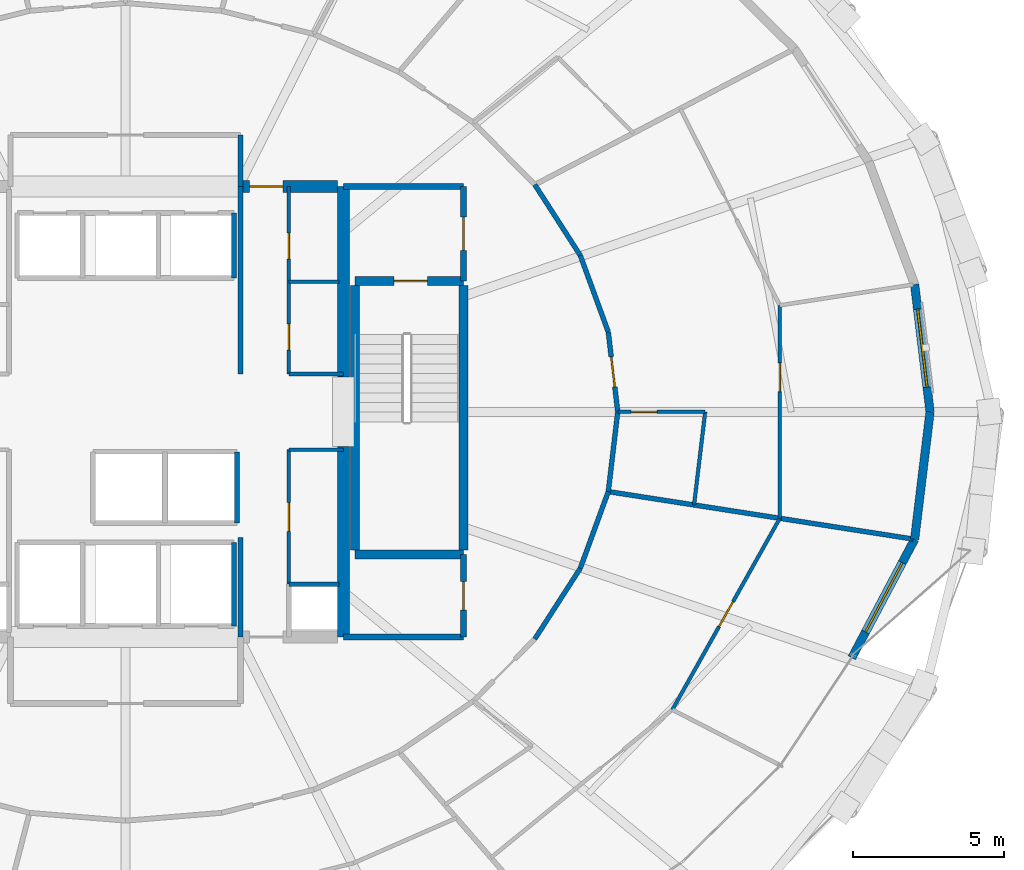
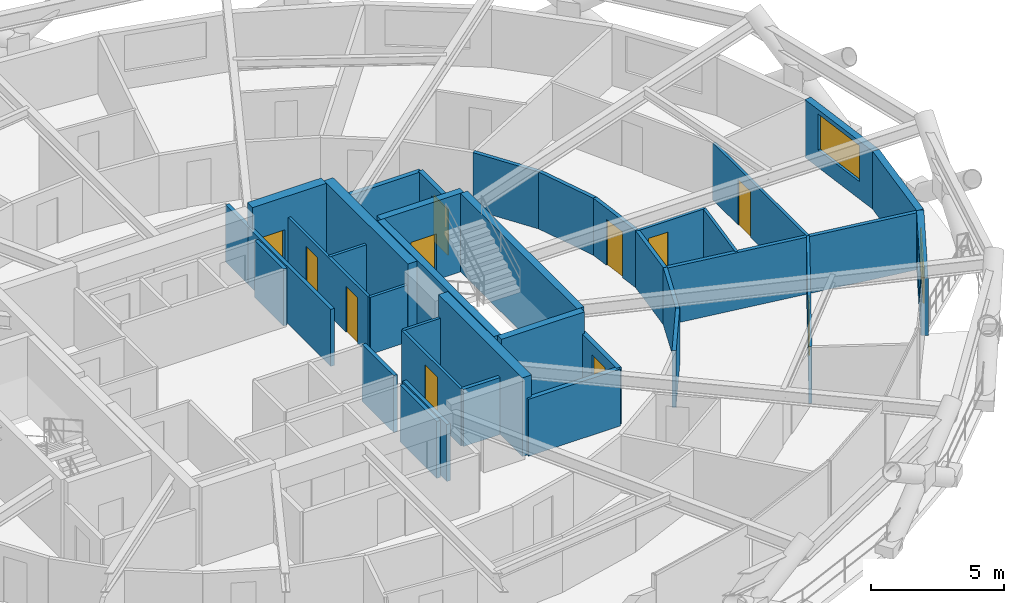
# One storey, part 13 of 17: 37 walls, 11 doors, 2 windows, 13 openings.
"""IFC4 building model written with IfcOpenShell, lengths in metres."""

from ifc_helpers import new_model, si_unit, direction, frame, frame_2d, origin, place, context, subcontext, project, spatial, rectangle, extrude, material, layer, layer_set, type_object, element, fill, save


model = new_model("IFC4")

# Units and contexts
model_context = context("Model", 3, precision=1e-05, world=origin(), true_north=direction((0.0, 1.0)))
body_context = subcontext(model_context, "Body", "Model", "MODEL_VIEW")
ifc_project = project(units=[si_unit("LENGTHUNIT", "METRE"), si_unit("AREAUNIT", "SQUARE_METRE"), si_unit("VOLUMEUNIT", "CUBIC_METRE"), si_unit("PLANEANGLEUNIT", "RADIAN"), si_unit("MASSUNIT", "GRAM", prefix="KILO")], contexts=[model_context])

# Site, building, storey
site_placement = place(None, origin())
site = spatial("IfcSite", under=ifc_project, at=site_placement, CompositionType="ELEMENT")
building_placement = place(site_placement, origin())
building = spatial("IfcBuilding", under=site, at=building_placement, Name="Veldorina Hangang Commons", CompositionType="ELEMENT")
storey_placement = place(building_placement, frame((0.0, 0.0, 55.60009765625)))
storey = spatial("IfcBuildingStorey", under=building, at=storey_placement, Name="L13", CompositionType="ELEMENT", Elevation=55.60009765625)

# Walls
ifc_material_1 = material(Name="Concrete C70/85", Category="concrete")
ifc_layer_1 = layer(ifc_material_1, 0.39990234375)
ifc_layer_set_1 = layer_set([ifc_layer_1], Name="Concrete C70/85")
wall_type_1 = type_object("IfcWallType", Name="CW-RC400-C70", PredefinedType="SHEAR", material=ifc_layer_set_1)
for number, where, z_axis, x_axis, name in (
    (1, (39.199951171875, 16.550048828125, 0.0), (0.0, 0.0, 1.0), (0.0, 1.0, 0.0), "L13 E south core shear wall"),
    (2, (39.199951171875, 25.14990234375, 0.0), (0.0, 0.0, 1.0), (0.0, 1.0, 0.0), "L13 E north core shear wall"),
):
    element("IfcWall", number, at=place(storey_placement, frame(where, z_axis=z_axis, x_axis=x_axis)), inside=storey, type_object=wall_type_1, Name=name, PredefinedType="SHEAR", context=body_context, shape_type="SweptSolid", body=[
        extrude(rectangle(XDim=6.300048828125, YDim=0.39990234375, at=frame_2d((3.14990234375, 0.0))), origin(), (0.0, 0.0, 1.0), 3.599853515625),
    ])

# Wall, opening, door
wall_1_placement = place(storey_placement, frame((35.800048828125, 31.449951171875, 0.0), z_axis=(0.0, 0.0, 1.0), x_axis=(1.0, 0.0, 0.0)))
wall_1 = element("IfcWall", 3, at=wall_1_placement, inside=storey, type_object=wall_type_1, Name="L13 north-east core shear wall", PredefinedType="SHEAR", context=body_context, shape_type="SweptSolid", body=[
    extrude(rectangle(XDim=3.199951171875, YDim=0.39990234375, at=frame_2d((1.60009765625, 0.0))), origin(), (0.0, 0.0, 1.0), 3.599853515625),
])
opening_1_placement = place(wall_1_placement, frame((0.300048828125, 0.0, 0.0)))
opening_1 = element("IfcOpeningElement", 4, at=opening_1_placement, cuts=wall_1, Name="Opening D-08", PredefinedType="OPENING", context=body_context, shape_type="SweptSolid", body=[
    extrude(rectangle(XDim=1.10009765625, YDim=2.10009765625, at=frame_2d((0.550048828125, 1.050048828125))), frame((0.0, 0.2099609375, 0.0), z_axis=(0.0, -1.0, 0.0), x_axis=(1.0, 0.0, 0.0)), (0.0, 0.0, 1.0), 0.419921875),
])
ifc_material_2 = material(Name="Steel Fire-Rated Smoke Seal", Category="steel")
door_type_1 = type_object("IfcDoorType", Name="DR-FIRE-1100", OperationType="SINGLE_SWING_RIGHT", PredefinedType="DOOR", material=ifc_material_2)
door_1_placement = place(opening_1_placement, origin())
door_1 = element("IfcDoor", 5, at=door_1_placement, inside=storey, type_object=door_type_1, Name="L13 central lift lobby north corridor door", OperationType="SINGLE_SWING_LEFT", OverallHeight=2.10009765625, OverallWidth=1.10009765625, PredefinedType="DOOR", context=body_context, shape_type="SweptSolid", body=[
    extrude(rectangle(XDim=1.10009765625, YDim=2.10009765625, at=frame_2d((0.550048828125, 1.050048828125))), frame((0.0, 0.02490234375, 0.0), z_axis=(0.0, -1.0, 0.0), x_axis=(1.0, 0.0, 0.0)), (0.0, 0.0, 1.0), 0.050048828125),
])
fill(opening_1, door_1)

# Wall, opening, window
ifc_material_3 = material(Name="Stone Roman Travertine", Category="masonry")
ifc_layer_2 = layer(ifc_material_3, 0.280029296875)
ifc_layer_set_2 = layer_set([ifc_layer_2], Name="Stone Roman Travertine")
wall_type_2 = type_object("IfcWallType", Name="EW-TRAV-280", PredefinedType="STANDARD", material=ifc_layer_set_2)
wall_2_placement = place(storey_placement, frame((58.6005859375, 24.0, 0.0), z_axis=(0.0, 0.0, 1.0), x_axis=(-0.120374306833, 0.992728576326, 0.0)))
wall_2 = element("IfcWall", 6, at=wall_2_placement, inside=storey, type_object=wall_type_2, Name="L13 travertine facade wall 00", PredefinedType="STANDARD", context=body_context, shape_type="SweptSolid", body=[
    extrude(rectangle(XDim=4.244873046875, YDim=0.280029296875, at=frame_2d((2.12255859375, 0.0))), origin(), (0.0, 0.0, 1.0), 2.64990234375),
])
opening_2_placement = place(wall_2_placement, frame((0.822509765625, 0.0, 0.800048828125)))
opening_2 = element("IfcOpeningElement", 7, at=opening_2_placement, cuts=wall_2, Name="Opening W-02", PredefinedType="OPENING", context=body_context, shape_type="SweptSolid", body=[
    extrude(rectangle(XDim=2.60009765625, YDim=1.64990234375, at=frame_2d((1.300048828125, 0.824951171875))), frame((0.0, 0.14990234375, 0.0), z_axis=(0.0, -1.0, 0.0), x_axis=(1.0, 0.0, 0.0)), (0.0, 0.0, 1.0), 0.300048828125),
])
ifc_material_4 = material(Name="Glass Low-E Triple IGU", Category="glass")
window_type = type_object("IfcWindowType", Name="WIN-TWR-2600", PartitioningType="SINGLE_PANEL", PredefinedType="WINDOW", material=ifc_material_4)
window_1_placement = place(opening_2_placement, origin())
window_1 = element("IfcWindow", 8, at=window_1_placement, inside=storey, type_object=window_type, Name="L13 facade window 00", OverallHeight=1.64990234375, OverallWidth=2.60009765625, PartitioningType="SINGLE_PANEL", PredefinedType="WINDOW", context=body_context, shape_type="SweptSolid", body=[
    extrude(rectangle(XDim=2.60009765625, YDim=1.64990234375, at=frame_2d((1.300048828125, 0.824951171875))), frame((0.0, 0.030029296875, 0.0), z_axis=(0.0, -1.0, 0.0), x_axis=(1.0, 0.0, 0.0)), (0.0, 0.0, 1.0), 0.06005859375),
])
fill(opening_2, window_1)

wall_3_placement = place(storey_placement, frame((56.015380859375, 15.86669921875, 0.0), z_axis=(0.0, 0.0, 1.0), x_axis=(0.467773880132, 0.883848175348, 0.0)))
wall_3 = element("IfcWall", 9, at=wall_3_placement, inside=storey, type_object=wall_type_2, Name="L13 travertine facade wall 30", PredefinedType="STANDARD", context=body_context, shape_type="SweptSolid", body=[
    extrude(rectangle(XDim=4.434326171875, YDim=0.280029296875, at=frame_2d((2.21728515625, 0.0))), origin(), (0.0, 0.0, 1.0), 2.64990234375),
])
opening_3_placement = place(wall_3_placement, frame((0.963134765625, 0.0, 0.800048828125)))
opening_3 = element("IfcOpeningElement", 10, at=opening_3_placement, cuts=wall_3, Name="Opening W-02", PredefinedType="OPENING", context=body_context, shape_type="SweptSolid", body=[
    extrude(rectangle(XDim=2.60009765625, YDim=1.64990234375, at=frame_2d((1.300048828125, 0.824951171875))), frame((0.0, 0.14990234375, 0.0), z_axis=(0.0, -1.0, 0.0), x_axis=(1.0, 0.0, 0.0)), (0.0, 0.0, 1.0), 0.300048828125),
])
window_2_placement = place(opening_3_placement, origin())
window_2 = element("IfcWindow", 11, at=window_2_placement, inside=storey, type_object=window_type, Name="L13 facade window 30", OverallHeight=1.64990234375, OverallWidth=2.60009765625, PartitioningType="SINGLE_PANEL", PredefinedType="WINDOW", context=body_context, shape_type="SweptSolid", body=[
    extrude(rectangle(XDim=2.60009765625, YDim=1.64990234375, at=frame_2d((1.300048828125, 0.824951171875))), frame((0.0, 0.030029296875, 0.0), z_axis=(0.0, -1.0, 0.0), x_axis=(1.0, 0.0, 0.0)), (0.0, 0.0, 1.0), 0.06005859375),
])
fill(opening_3, window_2)

# Walls
wall_4_placement = place(storey_placement, frame((58.089599609375, 19.785888671875, 0.0), z_axis=(0.0, 0.0, 1.0), x_axis=(0.120374306833, 0.992728576326, 0.0)))
element("IfcWall", 12, at=wall_4_placement, inside=storey, type_object=wall_type_2, Name="L13 travertine facade wall 31", PredefinedType="STANDARD", context=body_context, shape_type="SweptSolid", body=[
    extrude(rectangle(XDim=4.244873046875, YDim=0.280029296875, at=frame_2d((2.12255859375, 0.0))), origin(), (0.0, 0.0, 1.0), 2.64990234375),
])
ifc_material_5 = material(Name="Concrete C50/60", Category="concrete")
ifc_layer_3 = layer(ifc_material_5, 0.300048828125)
ifc_layer_set_3 = layer_set([ifc_layer_3], Name="Concrete C50/60")
wall_type_3 = type_object("IfcWallType", Name="SW-STAIR-300", PredefinedType="SHEAR", material=ifc_layer_set_3)
for number, where, z_axis, x_axis, name in (
    (13, (43.179931640625, 19.429931640625, 0.0), (0.0, 0.0, 1.0), (0.0, 1.0, 0.0), "L13 ST2 outer stair shear wall"),
    (14, (39.580078125, 19.429931640625, 0.0), (0.0, 0.0, 1.0), (0.0, 1.0, 0.0), "L13 ST2 inner stair shear wall"),
):
    element("IfcWall", number, at=place(storey_placement, frame(where, z_axis=z_axis, x_axis=x_axis)), inside=storey, type_object=wall_type_3, Name=name, PredefinedType="SHEAR", context=body_context, shape_type="SweptSolid", body=[
        extrude(rectangle(XDim=8.739990234375, YDim=0.300048828125, at=frame_2d((4.3701171875, 0.0))), origin(), (0.0, 0.0, 1.0), 3.599853515625),
    ])
wall_5_placement = place(storey_placement, frame((39.580078125, 19.280029296875, 0.0), z_axis=(0.0, 0.0, 1.0), x_axis=(1.0, 0.0, 0.0)))
element("IfcWall", 15, at=wall_5_placement, inside=storey, type_object=wall_type_3, Name="L13 ST2 south stair shear wall", PredefinedType="SHEAR", context=body_context, shape_type="SweptSolid", body=[
    extrude(rectangle(XDim=3.599853515625, YDim=0.300048828125, at=frame_2d((1.7998046875, 0.0))), origin(), (0.0, 0.0, 1.0), 3.599853515625),
])

# Wall, opening, door
wall_6_placement = place(storey_placement, frame((39.580078125, 28.320068359375, 0.0), z_axis=(0.0, 0.0, 1.0), x_axis=(1.0, 0.0, 0.0)))
wall_6 = element("IfcWall", 16, at=wall_6_placement, inside=storey, type_object=wall_type_3, Name="L13 ST2 north stair shear wall", PredefinedType="SHEAR", context=body_context, shape_type="SweptSolid", body=[
    extrude(rectangle(XDim=3.599853515625, YDim=0.300048828125, at=frame_2d((1.7998046875, 0.0))), origin(), (0.0, 0.0, 1.0), 3.599853515625),
])
opening_4_placement = place(wall_6_placement, frame((1.300048828125, 0.0, 0.0)))
opening_4 = element("IfcOpeningElement", 17, at=opening_4_placement, cuts=wall_6, Name="Opening D-08", PredefinedType="OPENING", context=body_context, shape_type="SweptSolid", body=[
    extrude(rectangle(XDim=1.10009765625, YDim=2.10009765625, at=frame_2d((0.550048828125, 1.050048828125))), frame((0.0, 0.16015625, 0.0), z_axis=(0.0, -1.0, 0.0), x_axis=(1.0, 0.0, 0.0)), (0.0, 0.0, 1.0), 0.320068359375),
])
door_2_placement = place(opening_4_placement, origin())
door_2 = element("IfcDoor", 18, at=door_2_placement, inside=storey, type_object=door_type_1, Name="L13 Special Escape Stair ST-2 door", OperationType="SINGLE_SWING_RIGHT", OverallHeight=2.10009765625, OverallWidth=1.10009765625, PredefinedType="DOOR", context=body_context, shape_type="SweptSolid", body=[
    extrude(rectangle(XDim=1.10009765625, YDim=2.10009765625, at=frame_2d((0.550048828125, 1.050048828125))), frame((0.0, 0.02490234375, 0.0), z_axis=(0.0, -1.0, 0.0), x_axis=(1.0, 0.0, 0.0)), (0.0, 0.0, 1.0), 0.050048828125),
])
fill(opening_4, door_2)

# Walls
ifc_material_6 = material(Name="Gypsum Fire-Rated Twin Stud Wall", Category="gypsum")
ifc_layer_4 = layer(ifc_material_6, 0.159912109375)
ifc_layer_set_4 = layer_set([ifc_layer_4], Name="Gypsum Fire-Rated Twin Stud Wall")
wall_type_4 = type_object("IfcWallType", Name="WL-FIRE-160", PredefinedType="SOLIDWALL", material=ifc_layer_set_4)
wall_7_placement = place(storey_placement, frame((35.800048828125, 16.550048828125, 0.0), z_axis=(0.0, 0.0, 1.0), x_axis=(0.0, 1.0, 0.0)))
element("IfcWall", 19, at=wall_7_placement, inside=storey, type_object=wall_type_4, Name="L13 Lift passage SW wall 009", PredefinedType="SOLIDWALL", context=body_context, shape_type="SweptSolid", body=[
    extrude(rectangle(XDim=3.300048828125, YDim=0.159912109375, at=frame_2d((1.64990234375, 0.0))), origin(), (0.0, 0.0, 1.0), 2.60986328125),
])
wall_8_placement = place(storey_placement, frame((35.800048828125, 25.25, 0.0), z_axis=(0.0, 0.0, 1.0), x_axis=(0.0, 1.0, 0.0)))
element("IfcWall", 20, at=wall_8_placement, inside=storey, type_object=wall_type_4, Name="L13 Lift passage NW wall 011", PredefinedType="SOLIDWALL", context=body_context, shape_type="SweptSolid", body=[
    extrude(rectangle(XDim=6.199951171875, YDim=0.159912109375, at=frame_2d((3.10009765625, 0.0))), origin(), (0.0, 0.0, 1.0), 2.60986328125),
])
wall_9_placement = place(storey_placement, frame((35.580078125, 28.419921875, 0.0), z_axis=(0.0, 0.0, 1.0), x_axis=(0.0, 1.0, 0.0)))
element("IfcWall", 21, at=wall_9_placement, inside=storey, type_object=wall_type_4, Name="L13 PL-L3 east shaft wall 020", PredefinedType="SOLIDWALL", context=body_context, shape_type="SweptSolid", body=[
    extrude(rectangle(XDim=2.16015625, YDim=0.159912109375, at=frame_2d((1.080078125, 0.0))), origin(), (0.0, 0.0, 1.0), 2.60986328125),
])
wall_10_placement = place(storey_placement, frame((35.679931640625, 20.320068359375, 0.0), z_axis=(0.0, 0.0, 1.0), x_axis=(0.0, 1.0, 0.0)))
element("IfcWall", 22, at=wall_10_placement, inside=storey, type_object=wall_type_4, Name="L13 SL-2 east shaft wall 025", PredefinedType="SOLIDWALL", context=body_context, shape_type="SweptSolid", body=[
    extrude(rectangle(XDim=2.35986328125, YDim=0.159912109375, at=frame_2d((1.179931640625, 0.0))), origin(), (0.0, 0.0, 1.0), 2.60986328125),
])
wall_11_placement = place(storey_placement, frame((35.580078125, 16.919921875, 0.0), z_axis=(0.0, 0.0, 1.0), x_axis=(0.0, 1.0, 0.0)))
element("IfcWall", 23, at=wall_11_placement, inside=storey, type_object=wall_type_4, Name="L13 EVL-1 east shaft wall 031", PredefinedType="SOLIDWALL", context=body_context, shape_type="SweptSolid", body=[
    extrude(rectangle(XDim=2.760009765625, YDim=0.159912109375, at=frame_2d((1.3798828125, 0.0))), origin(), (0.0, 0.0, 1.0), 2.60986328125),
])
wall_12_placement = place(storey_placement, frame((35.800048828125, 31.449951171875, 0.0), z_axis=(0.0, 0.0, 1.0), x_axis=(0.0, 1.0, 0.0)))
element("IfcWall", 24, at=wall_12_placement, inside=storey, type_object=wall_type_4, Name="L13 North lobby east wall 033", PredefinedType="SOLIDWALL", context=body_context, shape_type="SweptSolid", body=[
    extrude(rectangle(XDim=1.699951171875, YDim=0.159912109375, at=frame_2d((0.85009765625, 0.0))), origin(), (0.0, 0.0, 1.0), 2.60986328125),
])
wall_13_placement = place(storey_placement, frame((37.39990234375, 18.300048828125, 0.0), z_axis=(0.0, 0.0, 1.0), x_axis=(1.0, 0.0, 0.0)))
element("IfcWall", 25, at=wall_13_placement, inside=storey, type_object=wall_type_4, Name="L13 Plumbing riser wall 037", PredefinedType="SOLIDWALL", context=body_context, shape_type="SweptSolid", body=[
    extrude(rectangle(XDim=1.650146484375, YDim=0.159912109375, at=frame_2d((0.8251953125, 0.0))), origin(), (0.0, 0.0, 1.0), 2.60986328125),
])

# Wall, opening, door
wall_14_placement = place(storey_placement, frame((48.27392578125, 24.0, 0.0), z_axis=(0.0, 0.0, 1.0), x_axis=(-0.117763961213, 0.99304161516, 0.0)))
wall_14 = element("IfcWall", 26, at=wall_14_placement, inside=storey, type_object=wall_type_4, Name="L13 Corridor outer wall 00 047", PredefinedType="SOLIDWALL", context=body_context, shape_type="SweptSolid", body=[
    extrude(rectangle(XDim=2.65576171875, YDim=0.159912109375, at=frame_2d((1.327880859375, 0.0))), origin(), (0.0, 0.0, 1.0), 2.60986328125),
])
opening_5_placement = place(wall_14_placement, frame((0.827880859375, 0.0, 0.0)))
opening_5 = element("IfcOpeningElement", 27, at=opening_5_placement, cuts=wall_14, Name="Opening D-06", PredefinedType="OPENING", context=body_context, shape_type="SweptSolid", body=[
    extrude(rectangle(XDim=1.0, YDim=2.10009765625, at=frame_2d((0.5, 1.050048828125))), frame((0.0, 0.08984375, 0.0), z_axis=(0.0, -1.0, 0.0), x_axis=(1.0, 0.0, 0.0)), (0.0, 0.0, 1.0), 0.179931640625),
])
ifc_material_7 = material(Name="Timber Fire-Rated Entrance Core", Category="wood")
door_type_2 = type_object("IfcDoorType", Name="DR-UNIT-1000", OperationType="SINGLE_SWING_LEFT", PredefinedType="DOOR", material=ifc_material_7)
door_3_placement = place(opening_5_placement, origin())
door_3 = element("IfcDoor", 28, at=door_3_placement, inside=storey, type_object=door_type_2, Name="L13 Cluster 3 entrance door 026", OperationType="SINGLE_SWING_RIGHT", OverallHeight=2.10009765625, OverallWidth=1.0, PredefinedType="DOOR", context=body_context, shape_type="SweptSolid", body=[
    extrude(rectangle(XDim=1.0, YDim=2.10009765625, at=frame_2d((0.5, 1.050048828125))), frame((0.0, 0.02490234375, 0.0), z_axis=(0.0, -1.0, 0.0), x_axis=(1.0, 0.0, 0.0)), (0.0, 0.0, 1.0), 0.050048828125),
])
fill(opening_5, door_3)

# Walls
wall_15_placement = place(storey_placement, frame((47.961181640625, 26.63720703125, 0.0), z_axis=(0.0, 0.0, 1.0), x_axis=(-0.343013437329, 0.939330496583, 0.0)))
element("IfcWall", 29, at=wall_15_placement, inside=storey, type_object=wall_type_4, Name="L13 Corridor outer wall 01 048", PredefinedType="SOLIDWALL", context=body_context, shape_type="SweptSolid", body=[
    extrude(rectangle(XDim=2.69970703125, YDim=0.159912109375, at=frame_2d((1.349853515625, 0.0))), origin(), (0.0, 0.0, 1.0), 2.60986328125),
])
for number, where, z_axis, x_axis, name in (
    (30, (47.03515625, 29.173095703125, 0.0), (0.0, 0.0, 1.0), (-0.541126045017, 0.840941498206, 0.0), "L13 Corridor outer wall 02 049"),
    (31, (45.53125, 16.48974609375, 0.0), (0.0, 0.0, 1.0), (0.541126045017, 0.840941498206, 0.0), "L13 Corridor outer wall 29 076"),
):
    element("IfcWall", number, at=place(storey_placement, frame(where, z_axis=z_axis, x_axis=x_axis)), inside=storey, type_object=wall_type_4, Name=name, PredefinedType="SOLIDWALL", context=body_context, shape_type="SweptSolid", body=[
        extrude(rectangle(XDim=2.779296875, YDim=0.159912109375, at=frame_2d((1.3896484375, 0.0))), origin(), (0.0, 0.0, 1.0), 2.60986328125),
    ])
wall_16_placement = place(storey_placement, frame((47.03515625, 18.826904296875, 0.0), z_axis=(0.0, 0.0, 1.0), x_axis=(0.343013437329, 0.939330496583, 0.0)))
element("IfcWall", 32, at=wall_16_placement, inside=storey, type_object=wall_type_4, Name="L13 Corridor outer wall 30 077", PredefinedType="SOLIDWALL", context=body_context, shape_type="SweptSolid", body=[
    extrude(rectangle(XDim=2.69970703125, YDim=0.159912109375, at=frame_2d((1.349853515625, 0.0))), origin(), (0.0, 0.0, 1.0), 2.60986328125),
])
wall_17_placement = place(storey_placement, frame((47.961181640625, 21.36279296875, 0.0), z_axis=(0.0, 0.0, 1.0), x_axis=(0.117763961213, 0.99304161516, 0.0)))
element("IfcWall", 33, at=wall_17_placement, inside=storey, type_object=wall_type_4, Name="L13 Corridor outer wall 31 078", PredefinedType="SOLIDWALL", context=body_context, shape_type="SweptSolid", body=[
    extrude(rectangle(XDim=2.65576171875, YDim=0.159912109375, at=frame_2d((1.327880859375, 0.0))), origin(), (0.0, 0.0, 1.0), 2.60986328125),
])
wall_18_placement = place(storey_placement, frame((47.961181640625, 21.36279296875, 0.0), z_axis=(0.0, 0.0, 1.0), x_axis=(0.988098124705, -0.153824887305, 0.0)))
element("IfcWall", 34, at=wall_18_placement, inside=storey, type_object=wall_type_4, Name="L13 Unit party wall 31 090", PredefinedType="SOLIDWALL", context=body_context, shape_type="SweptSolid", body=[
    extrude(rectangle(XDim=10.200439453125, YDim=0.159912109375, at=frame_2d((5.10009765625, 0.0))), origin(), (0.0, 0.0, 1.0), 2.60986328125),
])

# Wall, opening, door
ifc_material_8 = material(Name="Concrete Blockwork Fire Wall C30/37", Category="masonry")
ifc_layer_5 = layer(ifc_material_8, 0.199951171875)
ifc_layer_set_5 = layer_set([ifc_layer_5], Name="Concrete Blockwork Fire Wall C30/37")
wall_type_5 = type_object("IfcWallType", Name="WL-FIRE-200", PredefinedType="SOLIDWALL", material=ifc_layer_set_5)
wall_19_placement = place(storey_placement, frame((43.179931640625, 28.320068359375, 0.0), z_axis=(0.0, 0.0, 1.0), x_axis=(0.0, 1.0, 0.0)))
wall_19 = element("IfcWall", 35, at=wall_19_placement, inside=storey, type_object=wall_type_5, Name="L13 East vestibule outer wall 003", PredefinedType="SOLIDWALL", context=body_context, shape_type="SweptSolid", body=[
    extrude(rectangle(XDim=3.1298828125, YDim=0.199951171875, at=frame_2d((1.56494140625, 0.0))), origin(), (0.0, 0.0, 1.0), 2.60986328125),
])
opening_6_placement = place(wall_19_placement, frame((1.014892578125, 0.0, 0.0)))
opening_6 = element("IfcOpeningElement", 36, at=opening_6_placement, cuts=wall_19, Name="Opening D-08", PredefinedType="OPENING", context=body_context, shape_type="SweptSolid", body=[
    extrude(rectangle(XDim=1.10009765625, YDim=2.10009765625, at=frame_2d((0.550048828125, 1.050048828125))), frame((0.0, 0.10986328125, 0.0), z_axis=(0.0, -1.0, 0.0), x_axis=(1.0, 0.0, 0.0)), (0.0, 0.0, 1.0), 0.219970703125),
])
door_4_placement = place(opening_6_placement, origin())
door_4 = element("IfcDoor", 37, at=door_4_placement, inside=storey, type_object=door_type_1, Name="L13 East vestibule east door 002", OperationType="SINGLE_SWING_RIGHT", OverallHeight=2.10009765625, OverallWidth=1.10009765625, PredefinedType="DOOR", context=body_context, shape_type="SweptSolid", body=[
    extrude(rectangle(XDim=1.10009765625, YDim=2.10009765625, at=frame_2d((0.550048828125, 1.050048828125))), frame((0.0, 0.02490234375, 0.0), z_axis=(0.0, -1.0, 0.0), x_axis=(1.0, 0.0, 0.0)), (0.0, 0.0, 1.0), 0.050048828125),
])
fill(opening_6, door_4)

# Wall
wall_20_placement = place(storey_placement, frame((39.199951171875, 31.449951171875, 0.0), z_axis=(0.0, 0.0, 1.0), x_axis=(1.0, 0.0, 0.0)))
element("IfcWall", 38, at=wall_20_placement, inside=storey, type_object=wall_type_5, Name="L13 East vestibule north wall 004", PredefinedType="SOLIDWALL", context=body_context, shape_type="SweptSolid", body=[
    extrude(rectangle(XDim=3.97998046875, YDim=0.199951171875, at=frame_2d((1.989990234375, 0.0))), origin(), (0.0, 0.0, 1.0), 2.60986328125),
])

# Wall, opening, door
wall_21_placement = place(storey_placement, frame((43.179931640625, 16.550048828125, 0.0), z_axis=(0.0, 0.0, 1.0), x_axis=(0.0, 1.0, 0.0)))
wall_21 = element("IfcWall", 39, at=wall_21_placement, inside=storey, type_object=wall_type_5, Name="L13 SE core room outer wall 007", PredefinedType="SOLIDWALL", context=body_context, shape_type="SweptSolid", body=[
    extrude(rectangle(XDim=2.72998046875, YDim=0.199951171875, at=frame_2d((1.364990234375, 0.0))), origin(), (0.0, 0.0, 1.0), 2.60986328125),
])
opening_7_placement = place(wall_21_placement, frame((0.889892578125, 0.0, 0.0)))
opening_7 = element("IfcOpeningElement", 40, at=opening_7_placement, cuts=wall_21, Name="Opening D-02", PredefinedType="OPENING", context=body_context, shape_type="SweptSolid", body=[
    extrude(rectangle(XDim=0.949951171875, YDim=2.10009765625, at=frame_2d((0.47509765625, 1.050048828125))), frame((0.0, 0.10986328125, 0.0), z_axis=(0.0, -1.0, 0.0), x_axis=(1.0, 0.0, 0.0)), (0.0, 0.0, 1.0), 0.219970703125),
])
ifc_material_9 = material(Name="Timber Solid Core Acoustic", Category="wood")
door_type_3 = type_object("IfcDoorType", Name="DR-INT-950", OperationType="SINGLE_SWING_LEFT", PredefinedType="DOOR", material=ifc_material_9)
door_5_placement = place(opening_7_placement, origin())
door_5 = element("IfcDoor", 41, at=door_5_placement, inside=storey, type_object=door_type_3, Name="L13 SE core WC door 004", OperationType="SINGLE_SWING_RIGHT", OverallHeight=2.10009765625, OverallWidth=0.949951171875, PredefinedType="DOOR", context=body_context, shape_type="SweptSolid", body=[
    extrude(rectangle(XDim=0.949951171875, YDim=2.10009765625, at=frame_2d((0.47509765625, 1.050048828125))), frame((0.0, 0.02490234375, 0.0), z_axis=(0.0, -1.0, 0.0), x_axis=(1.0, 0.0, 0.0)), (0.0, 0.0, 1.0), 0.050048828125),
])
fill(opening_7, door_5)

# Wall
wall_22_placement = place(storey_placement, frame((39.199951171875, 16.550048828125, 0.0), z_axis=(0.0, 0.0, 1.0), x_axis=(1.0, 0.0, 0.0)))
element("IfcWall", 42, at=wall_22_placement, inside=storey, type_object=wall_type_5, Name="L13 SE core room south wall 008", PredefinedType="SOLIDWALL", context=body_context, shape_type="SweptSolid", body=[
    extrude(rectangle(XDim=3.97998046875, YDim=0.199951171875, at=frame_2d((1.989990234375, 0.0))), origin(), (0.0, 0.0, 1.0), 2.60986328125),
])

# Wall, openings, doors
ifc_material_10 = material(Name="Gypsum Acoustic Stud Partition", Category="gypsum")
ifc_layer_6 = layer(ifc_material_10, 0.1201171875)
ifc_layer_set_6 = layer_set([ifc_layer_6], Name="Gypsum Acoustic Stud Partition")
wall_type_6 = type_object("IfcWallType", Name="WL-PART-120", PredefinedType="PARTITIONING", material=ifc_layer_set_6)
wall_23_placement = place(storey_placement, frame((37.39990234375, 25.25, 0.0), z_axis=(0.0, 0.0, 1.0), x_axis=(0.0, 1.0, 0.0)))
wall_23 = element("IfcWall", 43, at=wall_23_placement, inside=storey, type_object=wall_type_6, Name="L13 NE strip lobby wall 041", PredefinedType="PARTITIONING", context=body_context, shape_type="SweptSolid", body=[
    extrude(rectangle(XDim=6.199951171875, YDim=0.1201171875, at=frame_2d((3.10009765625, 0.0))), origin(), (0.0, 0.0, 1.0), 2.60986328125),
])
opening_8_placement = place(wall_23_placement, frame((0.800048828125, 0.0, 0.0)))
opening_8 = element("IfcOpeningElement", 44, at=opening_8_placement, cuts=wall_23, Name="Opening D-01", PredefinedType="OPENING", context=body_context, shape_type="SweptSolid", body=[
    extrude(rectangle(XDim=0.860107421875, YDim=2.10009765625, at=frame_2d((0.43017578125, 1.050048828125))), frame((0.0, 0.070068359375, 0.0), z_axis=(0.0, -1.0, 0.0), x_axis=(1.0, 0.0, 0.0)), (0.0, 0.0, 1.0), 0.14013671875),
])
opening_9_placement = place(wall_23_placement, frame((3.800048828125, 0.0, 0.0)))
opening_9 = element("IfcOpeningElement", 45, at=opening_9_placement, cuts=wall_23, Name="Opening D-01", PredefinedType="OPENING", context=body_context, shape_type="SweptSolid", body=[
    extrude(rectangle(XDim=0.860107421875, YDim=2.10009765625, at=frame_2d((0.43017578125, 1.050048828125))), frame((0.0, 0.070068359375, 0.0), z_axis=(0.0, -1.0, 0.0), x_axis=(1.0, 0.0, 0.0)), (0.0, 0.0, 1.0), 0.14013671875),
])
ifc_material_11 = material(Name="Timber Moisture-Resistant Core", Category="wood")
door_type_4 = type_object("IfcDoorType", Name="DR-WET-860", OperationType="SINGLE_SWING_LEFT", PredefinedType="DOOR", material=ifc_material_11)
door_6_placement = place(opening_8_placement, origin())
door_6 = element("IfcDoor", 46, at=door_6_placement, inside=storey, type_object=door_type_4, Name="L13 Electrical closet door 016", OperationType="SINGLE_SWING_RIGHT", OverallHeight=2.10009765625, OverallWidth=0.860107421875, PredefinedType="DOOR", context=body_context, shape_type="SweptSolid", body=[
    extrude(rectangle(XDim=0.860107421875, YDim=2.10009765625, at=frame_2d((0.43017578125, 1.050048828125))), frame((0.0, 0.02490234375, 0.0), z_axis=(0.0, -1.0, 0.0), x_axis=(1.0, 0.0, 0.0)), (0.0, 0.0, 1.0), 0.050048828125),
])
fill(opening_8, door_6)
door_7_placement = place(opening_9_placement, origin())
door_7 = element("IfcDoor", 47, at=door_7_placement, inside=storey, type_object=door_type_4, Name="L13 IT closet door 017", OperationType="SINGLE_SWING_LEFT", OverallHeight=2.10009765625, OverallWidth=0.860107421875, PredefinedType="DOOR", context=body_context, shape_type="SweptSolid", body=[
    extrude(rectangle(XDim=0.860107421875, YDim=2.10009765625, at=frame_2d((0.43017578125, 1.050048828125))), frame((0.0, 0.02490234375, 0.0), z_axis=(0.0, -1.0, 0.0), x_axis=(1.0, 0.0, 0.0)), (0.0, 0.0, 1.0), 0.050048828125),
])
fill(opening_9, door_7)

# Wall
wall_24_placement = place(storey_placement, frame((37.39990234375, 25.25, 0.0), z_axis=(0.0, 0.0, 1.0), x_axis=(1.0, 0.0, 0.0)))
element("IfcWall", 48, at=wall_24_placement, inside=storey, type_object=wall_type_6, Name="L13 NE strip south return wall 042", PredefinedType="PARTITIONING", context=body_context, shape_type="SweptSolid", body=[
    extrude(rectangle(XDim=1.800048828125, YDim=0.1201171875, at=frame_2d((0.89990234375, 0.0))), origin(), (0.0, 0.0, 1.0), 2.60986328125),
])

# Wall, opening, door
wall_25_placement = place(storey_placement, frame((37.39990234375, 18.300048828125, 0.0), z_axis=(0.0, 0.0, 1.0), x_axis=(0.0, 1.0, 0.0)))
wall_25 = element("IfcWall", 49, at=wall_25_placement, inside=storey, type_object=wall_type_6, Name="L13 SE strip lobby wall 043", PredefinedType="PARTITIONING", context=body_context, shape_type="SweptSolid", body=[
    extrude(rectangle(XDim=4.449951171875, YDim=0.1201171875, at=frame_2d((2.22509765625, 0.0))), origin(), (0.0, 0.0, 1.0), 2.60986328125),
])
opening_10_placement = place(wall_25_placement, frame((1.75, 0.0, 0.0)))
opening_10 = element("IfcOpeningElement", 50, at=opening_10_placement, cuts=wall_25, Name="Opening D-02", PredefinedType="OPENING", context=body_context, shape_type="SweptSolid", body=[
    extrude(rectangle(XDim=0.949951171875, YDim=2.10009765625, at=frame_2d((0.47509765625, 1.050048828125))), frame((0.0, 0.070068359375, 0.0), z_axis=(0.0, -1.0, 0.0), x_axis=(1.0, 0.0, 0.0)), (0.0, 0.0, 1.0), 0.14013671875),
])
door_8_placement = place(opening_10_placement, origin())
door_8 = element("IfcDoor", 51, at=door_8_placement, inside=storey, type_object=door_type_3, Name="L13 Cleaners supply door 018", OperationType="SINGLE_SWING_RIGHT", OverallHeight=2.10009765625, OverallWidth=0.949951171875, PredefinedType="DOOR", context=body_context, shape_type="SweptSolid", body=[
    extrude(rectangle(XDim=0.949951171875, YDim=2.10009765625, at=frame_2d((0.47509765625, 1.050048828125))), frame((0.0, 0.02490234375, 0.0), z_axis=(0.0, -1.0, 0.0), x_axis=(1.0, 0.0, 0.0)), (0.0, 0.0, 1.0), 0.050048828125),
])
fill(opening_10, door_8)

# Walls
wall_26_placement = place(storey_placement, frame((37.39990234375, 22.75, 0.0), z_axis=(0.0, 0.0, 1.0), x_axis=(1.0, 0.0, 0.0)))
element("IfcWall", 52, at=wall_26_placement, inside=storey, type_object=wall_type_6, Name="L13 SE strip north return wall 044", PredefinedType="PARTITIONING", context=body_context, shape_type="SweptSolid", body=[
    extrude(rectangle(XDim=1.800048828125, YDim=0.1201171875, at=frame_2d((0.89990234375, 0.0))), origin(), (0.0, 0.0, 1.0), 2.60986328125),
])
wall_27_placement = place(storey_placement, frame((37.39990234375, 28.300048828125, 0.0), z_axis=(0.0, 0.0, 1.0), x_axis=(1.0, 0.0, 0.0)))
element("IfcWall", 53, at=wall_27_placement, inside=storey, type_object=wall_type_6, Name="L13 NE mid wall 046", PredefinedType="PARTITIONING", context=body_context, shape_type="SweptSolid", body=[
    extrude(rectangle(XDim=1.650146484375, YDim=0.1201171875, at=frame_2d((0.8251953125, 0.0))), origin(), (0.0, 0.0, 1.0), 2.60986328125),
])

# Wall, opening, door
wall_28_placement = place(storey_placement, frame((50.078857421875, 14.1494140625, 0.0), z_axis=(0.0, 0.0, 1.0), x_axis=(0.489569746755, 0.871964140927, 0.0)))
wall_28 = element("IfcWall", 54, at=wall_28_placement, inside=storey, type_object=wall_type_6, Name="L13 Cluster 2 bed 2 front wall 088", PredefinedType="PARTITIONING", context=body_context, shape_type="SweptSolid", body=[
    extrude(rectangle(XDim=7.259765625, YDim=0.1201171875, at=frame_2d((3.6298828125, 0.0))), origin(), (0.0, 0.0, 1.0), 2.60986328125),
])
opening_11_placement = place(wall_28_placement, frame((3.15478515625, 0.0, 0.0)))
opening_11 = element("IfcOpeningElement", 55, at=opening_11_placement, cuts=wall_28, Name="Opening D-02", PredefinedType="OPENING", context=body_context, shape_type="SweptSolid", body=[
    extrude(rectangle(XDim=0.949951171875, YDim=2.10009765625, at=frame_2d((0.47509765625, 1.050048828125))), frame((0.0, 0.070068359375, 0.0), z_axis=(0.0, -1.0, 0.0), x_axis=(1.0, 0.0, 0.0)), (0.0, 0.0, 1.0), 0.14013671875),
])
door_9_placement = place(opening_11_placement, origin())
door_9 = element("IfcDoor", 56, at=door_9_placement, inside=storey, type_object=door_type_3, Name="L13 Cluster 2 bed 2 door 024", OperationType="SINGLE_SWING_RIGHT", OverallHeight=2.10009765625, OverallWidth=0.949951171875, PredefinedType="DOOR", context=body_context, shape_type="SweptSolid", body=[
    extrude(rectangle(XDim=0.949951171875, YDim=2.10009765625, at=frame_2d((0.47509765625, 1.050048828125))), frame((0.0, 0.02490234375, 0.0), z_axis=(0.0, -1.0, 0.0), x_axis=(1.0, 0.0, 0.0)), (0.0, 0.0, 1.0), 0.050048828125),
])
fill(opening_11, door_9)

# Wall
wall_29_placement = place(storey_placement, frame((50.797119140625, 20.92138671875, 0.0), z_axis=(0.0, 0.0, 1.0), x_axis=(0.118819199309, 0.992915906749, 0.0)))
element("IfcWall", 57, at=wall_29_placement, inside=storey, type_object=wall_type_6, Name="L13 Cluster 3 bath front wall 091", PredefinedType="PARTITIONING", context=body_context, shape_type="SweptSolid", body=[
    extrude(rectangle(XDim=3.1005859375, YDim=0.1201171875, at=frame_2d((1.55029296875, 0.0))), origin(), (0.0, 0.0, 1.0), 2.60986328125),
])

# Wall, opening, door
wall_30_placement = place(storey_placement, frame((48.27392578125, 24.0, 0.0), z_axis=(0.0, 0.0, 1.0), x_axis=(1.0, 0.0, 0.0)))
wall_30 = element("IfcWall", 58, at=wall_30_placement, inside=storey, type_object=wall_type_6, Name="L13 Cluster 3 bath side wall 092", PredefinedType="PARTITIONING", context=body_context, shape_type="SweptSolid", body=[
    extrude(rectangle(XDim=2.8916015625, YDim=0.1201171875, at=frame_2d((1.44580078125, 0.0))), origin(), (0.0, 0.0, 1.0), 2.60986328125),
])
opening_12_placement = place(wall_30_placement, frame((0.43994140625, 0.0, 0.0)))
opening_12 = element("IfcOpeningElement", 59, at=opening_12_placement, cuts=wall_30, Name="Opening D-01", PredefinedType="OPENING", context=body_context, shape_type="SweptSolid", body=[
    extrude(rectangle(XDim=0.860107421875, YDim=2.10009765625, at=frame_2d((0.43017578125, 1.050048828125))), frame((0.0, 0.070068359375, 0.0), z_axis=(0.0, -1.0, 0.0), x_axis=(1.0, 0.0, 0.0)), (0.0, 0.0, 1.0), 0.14013671875),
])
door_10_placement = place(opening_12_placement, origin())
door_10 = element("IfcDoor", 60, at=door_10_placement, inside=storey, type_object=door_type_4, Name="L13 Cluster 3 shared bathroom door 025", OperationType="SINGLE_SWING_LEFT", OverallHeight=2.10009765625, OverallWidth=0.860107421875, PredefinedType="DOOR", context=body_context, shape_type="SweptSolid", body=[
    extrude(rectangle(XDim=0.860107421875, YDim=2.10009765625, at=frame_2d((0.43017578125, 1.050048828125))), frame((0.0, 0.02490234375, 0.0), z_axis=(0.0, -1.0, 0.0), x_axis=(1.0, 0.0, 0.0)), (0.0, 0.0, 1.0), 0.050048828125),
])
fill(opening_12, door_10)

wall_31_placement = place(storey_placement, frame((53.633056640625, 20.479736328125, 0.0), z_axis=(0.0, 0.0, 1.0), x_axis=(0.0, 1.0, 0.0)))
wall_31 = element("IfcWall", 61, at=wall_31_placement, inside=storey, type_object=wall_type_6, Name="L13 Cluster 3 bed 1 front wall 093", PredefinedType="PARTITIONING", context=body_context, shape_type="SweptSolid", body=[
    extrude(rectangle(XDim=7.04052734375, YDim=0.1201171875, at=frame_2d((3.520263671875, 0.0))), origin(), (0.0, 0.0, 1.0), 2.60986328125),
])
opening_13_placement = place(wall_31_placement, frame((4.191650390625, 0.0, 0.0)))
opening_13 = element("IfcOpeningElement", 62, at=opening_13_placement, cuts=wall_31, Name="Opening D-02", PredefinedType="OPENING", context=body_context, shape_type="SweptSolid", body=[
    extrude(rectangle(XDim=0.949951171875, YDim=2.10009765625, at=frame_2d((0.47509765625, 1.050048828125))), frame((0.0, 0.070068359375, 0.0), z_axis=(0.0, -1.0, 0.0), x_axis=(1.0, 0.0, 0.0)), (0.0, 0.0, 1.0), 0.14013671875),
])
door_11_placement = place(opening_13_placement, origin())
door_11 = element("IfcDoor", 63, at=door_11_placement, inside=storey, type_object=door_type_3, Name="L13 Cluster 3 bed 1 door 027", OperationType="SINGLE_SWING_LEFT", OverallHeight=2.10009765625, OverallWidth=0.949951171875, PredefinedType="DOOR", context=body_context, shape_type="SweptSolid", body=[
    extrude(rectangle(XDim=0.949951171875, YDim=2.10009765625, at=frame_2d((0.47509765625, 1.050048828125))), frame((0.0, 0.02490234375, 0.0), z_axis=(0.0, -1.0, 0.0), x_axis=(1.0, 0.0, 0.0)), (0.0, 0.0, 1.0), 0.050048828125),
])
fill(opening_13, door_11)

save(model, "model.ifc")
